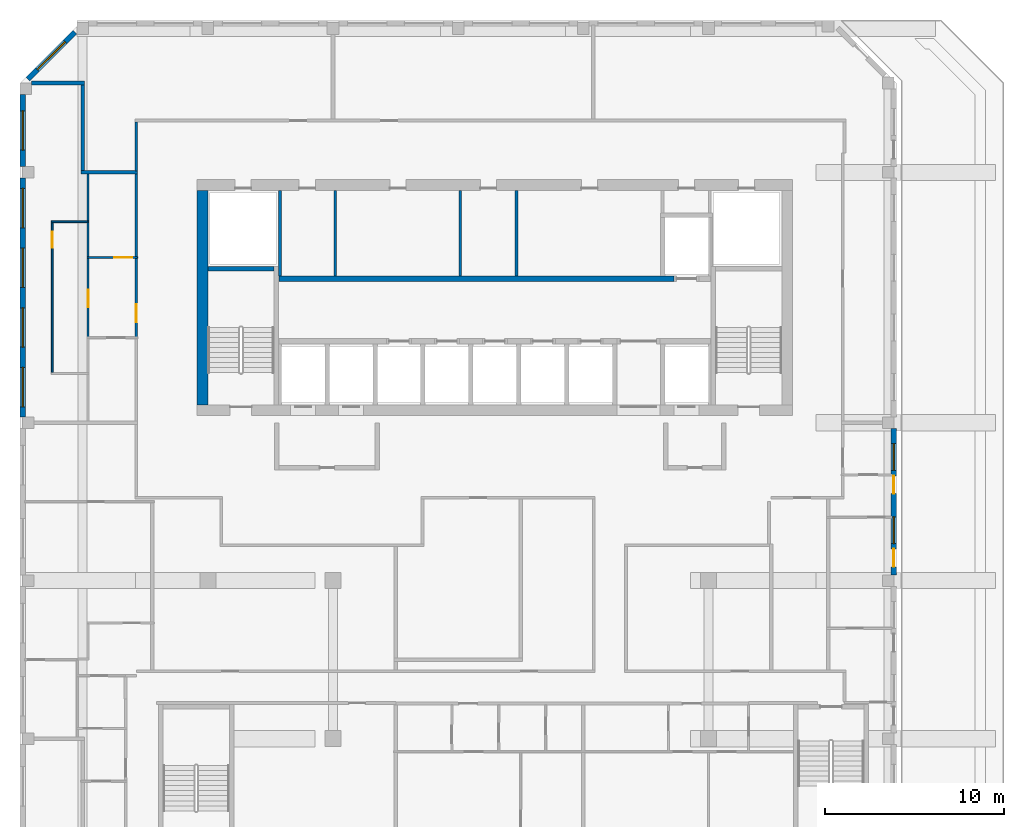
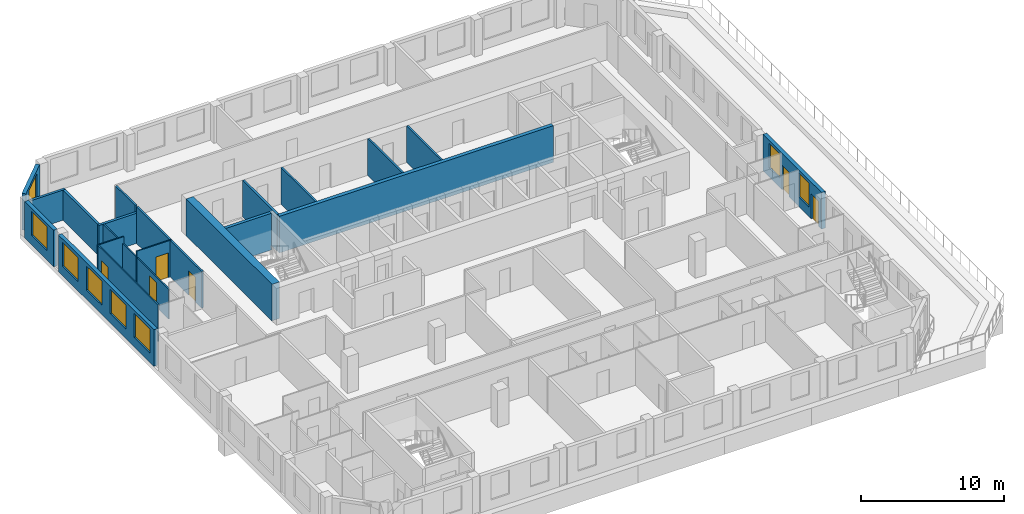
# One storey, part 7 of 13: 23 walls, 8 windows, 6 doors, 14 openings.
"""IFC4 building model written with IfcOpenShell, lengths in metres."""

from ifc_helpers import new_model, si_unit, direction, frame, frame_2d, origin, place, context, subcontext, project, spatial, rectangle, extrude, source, transform, mapped, material, layer, layer_set, type_object, element, fill, save


model = new_model("IFC4")

# Units and contexts
model_context = context("Model", 3, precision=1e-05, world=origin(), true_north=direction((0.0, 1.0)))
body_context = subcontext(model_context, "Body", "Model", "MODEL_VIEW")
ifc_project = project(units=[si_unit("LENGTHUNIT", "METRE"), si_unit("AREAUNIT", "SQUARE_METRE"), si_unit("VOLUMEUNIT", "CUBIC_METRE"), si_unit("PLANEANGLEUNIT", "RADIAN"), si_unit("MASSUNIT", "GRAM", prefix="KILO")], contexts=[model_context])

# Site, building, storey
site_placement = place(None, origin())
site = spatial("IfcSite", under=ifc_project, at=site_placement, CompositionType="ELEMENT")
building_placement = place(site_placement, origin())
building = spatial("IfcBuilding", under=site, at=building_placement, Name="Kilnfold Tower and Market Hall", CompositionType="ELEMENT")
storey_placement = place(building_placement, frame((0.0, 0.0, 267.0)))
storey = spatial("IfcBuildingStorey", under=building, at=storey_placement, Name="L65", CompositionType="ELEMENT", Elevation=267.0)

# Wall
ifc_material_1 = material(Name="Gypsum board on steel studs", Category="steel")
ifc_layer_1 = layer(ifc_material_1, 0.14990234375)
ifc_layer_set_1 = layer_set([ifc_layer_1], Name="Gypsum board on steel studs")
wall_type_1 = type_object("IfcWallType", Name="WALL CORRIDOR 150", PredefinedType="PARTITIONING", material=ifc_layer_set_1)
wall_1_placement = place(storey_placement, frame((-19.0, 22.090087890625, 0.0), z_axis=(0.0, 0.0, 1.0), x_axis=(0.0, 1.0, 0.0)))
element("IfcWall", 1, at=wall_1_placement, inside=storey, type_object=wall_type_1, Name="Partition LY41.22", PredefinedType="PARTITIONING", context=body_context, shape_type="SweptSolid", body=[
    extrude(rectangle(XDim=2.73486328125, YDim=0.14990234375, at=frame_2d((1.367431640625, 0.0))), origin(), (0.0, 0.0, 1.0), 3.1201171875),
])

# Wall, opening, door
wall_2_placement = place(storey_placement, frame((-19.0, 12.800048828125, 0.0), z_axis=(0.0, 0.0, 1.0), x_axis=(0.0, 1.0, 0.0)))
wall_2 = element("IfcWall", 2, at=wall_2_placement, inside=storey, type_object=wall_type_1, Name="Partition LY41.25", PredefinedType="PARTITIONING", context=body_context, shape_type="SweptSolid", body=[
    extrude(rectangle(XDim=4.39990234375, YDim=0.14990234375, at=frame_2d((2.199951171875, 0.0))), origin(), (0.0, 0.0, 1.0), 3.1201171875),
])
opening_1_placement = place(wall_2_placement, frame((0.821044921875, 0.0, 0.0)))
opening_1 = element("IfcOpeningElement", 3, at=opening_1_placement, cuts=wall_2, Name="Opening D1", PredefinedType="OPENING", context=body_context, shape_type="SweptSolid", body=[
    extrude(rectangle(XDim=1.0, YDim=2.10009765625, at=frame_2d((0.5, 1.050048828125))), frame((0.0, 0.0849609375, 0.0), z_axis=(0.0, -1.0, 0.0), x_axis=(1.0, 0.0, 0.0)), (0.0, 0.0, 1.0), 0.169921875),
])
ifc_material_2 = material(Name="Timber veneer door leaf in steel frame", Category="steel")
door_type_1 = type_object("IfcDoorType", Name="DOOR ENTRY 1000 X2100", OperationType="NOTDEFINED", PredefinedType="DOOR", material=ifc_material_2)
door_1_placement = place(opening_1_placement, origin())
door_1 = element("IfcDoor", 4, at=door_1_placement, inside=storey, type_object=door_type_1, Name="Door D1", OperationType="SINGLE_SWING_RIGHT", OverallHeight=2.10009765625, OverallWidth=1.0, PredefinedType="DOOR", context=body_context, shape_type="SweptSolid", body=[
    extrude(rectangle(XDim=1.0, YDim=2.10009765625, at=frame_2d((0.5, 1.050048828125))), frame((0.0, 0.02490234375, 0.0), z_axis=(0.0, -1.0, 0.0), x_axis=(1.0, 0.0, 0.0)), (0.0, 0.0, 1.0), 0.050048828125),
])
fill(opening_1, door_1)

# Wall
wall_3_placement = place(storey_placement, frame((-19.0, 17.280029296875, 0.0), z_axis=(0.0, 0.0, 1.0), x_axis=(0.0, 1.0, 0.0)))
element("IfcWall", 5, at=wall_3_placement, inside=storey, type_object=wall_type_1, Name="Partition LY41.26", PredefinedType="PARTITIONING", context=body_context, shape_type="SweptSolid", body=[
    extrude(rectangle(XDim=4.6298828125, YDim=0.14990234375, at=frame_2d((2.31494140625, 0.0))), origin(), (0.0, 0.0, 1.0), 3.1201171875),
])

# Wall, opening, door
ifc_material_3 = material(Name="Gypsum board on steel studs", Category="steel")
ifc_layer_2 = layer(ifc_material_3, 0.10009765625)
ifc_layer_set_2 = layer_set([ifc_layer_2], Name="Gypsum board on steel studs")
wall_type_2 = type_object("IfcWallType", Name="WALL PARTITION 100", PredefinedType="PARTITIONING", material=ifc_layer_set_2)
wall_4_placement = place(storey_placement, frame((-18.927001953125, 17.239990234375, 0.0), z_axis=(0.0, 0.0, 1.0), x_axis=(-1.0, 0.0, 0.0)))
wall_4 = element("IfcWall", 6, at=wall_4_placement, inside=storey, type_object=wall_type_2, Name="Partition LY41.88", PredefinedType="PARTITIONING", context=body_context, shape_type="SweptSolid", body=[
    extrude(rectangle(XDim=2.822998046875, YDim=0.10009765625, at=frame_2d((1.41162109375, 0.0))), origin(), (0.0, 0.0, 1.0), 3.1201171875),
])
opening_2_placement = place(wall_4_placement, frame((0.302001953125, 0.0, 0.0)))
opening_2 = element("IfcOpeningElement", 7, at=opening_2_placement, cuts=wall_4, Name="Opening D1", PredefinedType="OPENING", context=body_context, shape_type="SweptSolid", body=[
    extrude(rectangle(XDim=1.0, YDim=2.10009765625, at=frame_2d((0.5, 1.050048828125))), frame((0.0, 0.06005859375, 0.0), z_axis=(0.0, -1.0, 0.0), x_axis=(1.0, 0.0, 0.0)), (0.0, 0.0, 1.0), 0.1201171875),
])
door_2_placement = place(opening_2_placement, origin())
door_2 = element("IfcDoor", 8, at=door_2_placement, inside=storey, type_object=door_type_1, Name="Door D1", OperationType="SINGLE_SWING_RIGHT", OverallHeight=2.10009765625, OverallWidth=1.0, PredefinedType="DOOR", context=body_context, shape_type="SweptSolid", body=[
    extrude(rectangle(XDim=1.0, YDim=2.10009765625, at=frame_2d((0.5, 1.050048828125))), frame((0.0, 0.02490234375, 0.0), z_axis=(0.0, -1.0, 0.0), x_axis=(1.0, 0.0, 0.0)), (0.0, 0.0, 1.0), 0.050048828125),
])
fill(opening_2, door_2)

wall_5_placement = place(storey_placement, frame((-21.699951171875, 12.81005859375, 0.0), z_axis=(0.0, 0.0, 1.0), x_axis=(0.0, 1.0, 0.0)))
wall_5 = element("IfcWall", 9, at=wall_5_placement, inside=storey, type_object=wall_type_2, Name="Partition LY41.89", PredefinedType="PARTITIONING", context=body_context, shape_type="SweptSolid", body=[
    extrude(rectangle(XDim=4.3798828125, YDim=0.10009765625, at=frame_2d((2.18994140625, 0.0))), origin(), (0.0, 0.0, 1.0), 2.570068359375),
])
opening_3_placement = place(wall_5_placement, frame((1.638916015625, 0.0, 0.0)))
opening_3 = element("IfcOpeningElement", 10, at=opening_3_placement, cuts=wall_5, Name="Opening D1", PredefinedType="OPENING", context=body_context, shape_type="SweptSolid", body=[
    extrude(rectangle(XDim=1.0, YDim=2.10009765625, at=frame_2d((0.5, 1.050048828125))), frame((0.0, 0.06005859375, 0.0), z_axis=(0.0, -1.0, 0.0), x_axis=(1.0, 0.0, 0.0)), (0.0, 0.0, 1.0), 0.1201171875),
])
door_3_placement = place(opening_3_placement, origin())
door_3 = element("IfcDoor", 11, at=door_3_placement, inside=storey, type_object=door_type_1, Name="Door D1", OperationType="SINGLE_SWING_RIGHT", OverallHeight=2.10009765625, OverallWidth=1.0, PredefinedType="DOOR", context=body_context, shape_type="SweptSolid", body=[
    extrude(rectangle(XDim=1.0, YDim=2.10009765625, at=frame_2d((0.5, 1.050048828125))), frame((0.0, 0.02490234375, 0.0), z_axis=(0.0, -1.0, 0.0), x_axis=(1.0, 0.0, 0.0)), (0.0, 0.0, 1.0), 0.050048828125),
])
fill(opening_3, door_3)

# Walls
wall_6_placement = place(storey_placement, frame((-21.699951171875, 19.281005859375, 0.0), z_axis=(0.0, 0.0, 1.0), x_axis=(0.0, 1.0, 0.0)))
element("IfcWall", 12, at=wall_6_placement, inside=storey, type_object=wall_type_2, Name="Partition LY41.90", PredefinedType="PARTITIONING", context=body_context, shape_type="SweptSolid", body=[
    extrude(rectangle(XDim=2.618896484375, YDim=0.10009765625, at=frame_2d((1.3095703125, 0.0))), origin(), (0.0, 0.0, 1.0), 2.570068359375),
])
wall_7_placement = place(storey_placement, frame((-21.699951171875, 17.2900390625, 0.0), z_axis=(0.0, 0.0, 1.0), x_axis=(0.0, 1.0, 0.0)))
element("IfcWall", 13, at=wall_7_placement, inside=storey, type_object=wall_type_2, Name="Partition LY41.91", PredefinedType="PARTITIONING", context=body_context, shape_type="SweptSolid", body=[
    extrude(rectangle(XDim=1.909912109375, YDim=0.10009765625, at=frame_2d((0.955078125, 0.0))), origin(), (0.0, 0.0, 1.0), 2.570068359375),
])
wall_8_placement = place(storey_placement, frame((-23.7509765625, 19.240966796875, 0.0), z_axis=(0.0, 0.0, 1.0), x_axis=(1.0, 0.0, 0.0)))
element("IfcWall", 14, at=wall_8_placement, inside=storey, type_object=wall_type_2, Name="Partition LY41.92", PredefinedType="PARTITIONING", context=body_context, shape_type="SweptSolid", body=[
    extrude(rectangle(XDim=2.098876953125, YDim=0.10009765625, at=frame_2d((1.04931640625, 0.0))), origin(), (0.0, 0.0, 1.0), 3.1201171875),
])

# Wall, opening, door
wall_9_placement = place(storey_placement, frame((-23.700927734375, 10.80908203125, 0.0), z_axis=(0.0, 0.0, 1.0), x_axis=(0.0, 1.0, 0.0)))
wall_9 = element("IfcWall", 15, at=wall_9_placement, inside=storey, type_object=wall_type_2, Name="Partition LY41.93", PredefinedType="PARTITIONING", context=body_context, shape_type="SweptSolid", body=[
    extrude(rectangle(XDim=8.3818359375, YDim=0.10009765625, at=frame_2d((4.19091796875, 0.0))), origin(), (0.0, 0.0, 1.0), 3.1201171875),
])
opening_4_placement = place(wall_9_placement, frame((6.97802734375, 0.0, 0.0)))
opening_4 = element("IfcOpeningElement", 16, at=opening_4_placement, cuts=wall_9, Name="Opening D2", PredefinedType="OPENING", context=body_context, shape_type="SweptSolid", body=[
    extrude(rectangle(XDim=0.89990234375, YDim=2.10009765625, at=frame_2d((0.449951171875, 1.050048828125))), frame((0.0, 0.06005859375, 0.0), z_axis=(0.0, -1.0, 0.0), x_axis=(1.0, 0.0, 0.0)), (0.0, 0.0, 1.0), 0.1201171875),
])
ifc_material_4 = material(Name="Timber veneer door leaf in steel frame", Category="steel")
door_type_2 = type_object("IfcDoorType", Name="DOOR ROOM 900 X2100", OperationType="NOTDEFINED", PredefinedType="DOOR", material=ifc_material_4)
door_4_placement = place(opening_4_placement, origin())
door_4 = element("IfcDoor", 17, at=door_4_placement, inside=storey, type_object=door_type_2, Name="Door D2", OperationType="SINGLE_SWING_LEFT", OverallHeight=2.10009765625, OverallWidth=0.89990234375, PredefinedType="DOOR", context=body_context, shape_type="SweptSolid", body=[
    extrude(rectangle(XDim=0.89990234375, YDim=2.10009765625, at=frame_2d((0.449951171875, 1.050048828125))), frame((0.0, 0.02490234375, 0.0), z_axis=(0.0, -1.0, 0.0), x_axis=(1.0, 0.0, 0.0)), (0.0, 0.0, 1.0), 0.050048828125),
])
fill(opening_4, door_4)

# Walls
ifc_material_5 = material(Name="Gypsum board on steel studs", Category="steel")
ifc_layer_3 = layer(ifc_material_5, 0.199951171875)
ifc_layer_set_3 = layer_set([ifc_layer_3], Name="Gypsum board on steel studs")
wall_type_3 = type_object("IfcWallType", Name="WALL PARTY 200", PredefinedType="PARTITIONING", material=ifc_layer_set_3)
wall_10_placement = place(storey_placement, frame((-22.0, 22.10009765625, 0.0), z_axis=(0.0, 0.0, 1.0), x_axis=(0.0, 1.0, 0.0)))
element("IfcWall", 18, at=wall_10_placement, inside=storey, type_object=wall_type_3, Name="Partition LY41.82", PredefinedType="PARTITIONING", context=body_context, shape_type="SweptSolid", body=[
    extrude(rectangle(XDim=4.7998046875, YDim=0.199951171875, at=frame_2d((2.39990234375, 0.0))), origin(), (0.0, 0.0, 1.0), 2.570068359375),
])
wall_11_placement = place(storey_placement, frame((-24.85693359375, 27.0, 0.0), z_axis=(0.0, 0.0, 1.0), x_axis=(1.0, 0.0, 0.0)))
element("IfcWall", 19, at=wall_11_placement, inside=storey, type_object=wall_type_3, Name="Partition LY41.83", PredefinedType="PARTITIONING", context=body_context, shape_type="SweptSolid", body=[
    extrude(rectangle(XDim=2.95703125, YDim=0.199951171875, at=frame_2d((1.478515625, 0.0))), origin(), (0.0, 0.0, 1.0), 2.570068359375),
])
wall_12_placement = place(storey_placement, frame((-22.10009765625, 22.0, 0.0), z_axis=(0.0, 0.0, 1.0), x_axis=(1.0, 0.0, 0.0)))
element("IfcWall", 20, at=wall_12_placement, inside=storey, type_object=wall_type_3, Name="Partition LY41.84", PredefinedType="PARTITIONING", context=body_context, shape_type="SweptSolid", body=[
    extrude(rectangle(XDim=3.173095703125, YDim=0.199951171875, at=frame_2d((1.58642578125, 0.0))), origin(), (0.0, 0.0, 1.0), 2.570068359375),
])
ifc_material_6 = material(Name="Concrete C50", Category="concrete")
ifc_layer_4 = layer(ifc_material_6, 0.25)
ifc_layer_set_4 = layer_set([ifc_layer_4], Name="Concrete C50")
wall_type_4 = type_object("IfcWallType", Name="CORE WALL 250 C50", PredefinedType="SHEAR", material=ifc_layer_set_4)
shared_shape_1 = source(origin(), body_context, "Body", "SweptSolid", [
    extrude(rectangle(XDim=3.699951171875, YDim=0.25, at=frame_2d((1.85009765625, 0.0))), origin(), (0.0, 0.0, 1.0), 3.1201171875),
])
wall_13_placement = place(storey_placement, frame((-15.0, 16.625, 0.0), z_axis=(0.0, 0.0, 1.0), x_axis=(1.0, 0.0, 0.0)))
element("IfcWall", 21, at=wall_13_placement, inside=storey, type_object=wall_type_4, Name="Stair enclosure ST1", PredefinedType="SHEAR", context=body_context, shape_type="MappedRepresentation", body=[
    mapped(shared_shape_1, transform((0.0, 0.0, 0.0))),
])
ifc_material_7 = material(Name="Concrete C50", Category="concrete")
ifc_layer_5 = layer(ifc_material_7, 0.300048828125)
ifc_layer_set_5 = layer_set([ifc_layer_5], Name="Concrete C50")
wall_type_5 = type_object("IfcWallType", Name="CORE WALL 300 C50", PredefinedType="SHEAR", material=ifc_layer_set_5)
shared_shape_2 = source(origin(), body_context, "Body", "SweptSolid", [
    extrude(rectangle(XDim=22.080078125, YDim=0.300048828125, at=frame_2d((11.0400390625, 0.0))), origin(), (0.0, 0.0, 1.0), 3.1201171875),
])
wall_14_placement = place(storey_placement, frame((-11.010009765625, 16.050048828125, 0.0), z_axis=(0.0, 0.0, 1.0), x_axis=(1.0, 0.0, 0.0)))
element("IfcWall", 22, at=wall_14_placement, inside=storey, type_object=wall_type_5, Name="Core spine wall", PredefinedType="SHEAR", context=body_context, shape_type="MappedRepresentation", body=[
    mapped(shared_shape_2, transform((0.0, 0.0, 0.0))),
])
ifc_material_8 = material(Name="Concrete C50", Category="concrete")
ifc_layer_6 = layer(ifc_material_8, 0.60009765625)
ifc_layer_set_6 = layer_set([ifc_layer_6], Name="Concrete C50")
wall_type_6 = type_object("IfcWallType", Name="CORE WALL 600 C50", PredefinedType="SHEAR", material=ifc_layer_set_6)
shared_shape_3 = source(origin(), body_context, "Body", "SweptSolid", [
    extrude(rectangle(XDim=12.0, YDim=0.60009765625, at=frame_2d((6.0, 0.0))), origin(), (0.0, 0.0, 1.0), 3.1201171875),
])
wall_15_placement = place(storey_placement, frame((-15.300048828125, 9.0, 0.0), z_axis=(0.0, 0.0, 1.0), x_axis=(0.0, 1.0, 0.0)))
element("IfcWall", 23, at=wall_15_placement, inside=storey, type_object=wall_type_6, Name="Core outer wall west", PredefinedType="SHEAR", context=body_context, shape_type="MappedRepresentation", body=[
    mapped(shared_shape_3, transform((0.0, 0.0, 0.0))),
])

# Wall, opening, window
ifc_material_9 = material(Name="Precast concrete C50/60", Category="concrete")
ifc_layer_7 = layer(ifc_material_9, 0.300048828125)
ifc_layer_set_7 = layer_set([ifc_layer_7], Name="Precast concrete C50/60")
wall_type_7 = type_object("IfcWallType", Name="PRECAST WALL 300", PredefinedType="SOLIDWALL", material=ifc_layer_set_7)
shared_shape_4 = source(origin(), body_context, "Body", "SweptSolid", [
    extrude(rectangle(XDim=3.71240234375, YDim=0.300048828125, at=frame_2d((1.856201171875, 0.0))), origin(), (0.0, 0.0, 1.0), 3.1201171875),
])
wall_16_placement = place(storey_placement, frame((-22.44384765625, 29.843994140625, 0.0), z_axis=(0.0, 0.0, 1.0), x_axis=(-0.707106781187, -0.707106781187, 0.0)))
wall_16 = element("IfcWall", 24, at=wall_16_placement, inside=storey, type_object=wall_type_7, Name="External wall L65 NW", PredefinedType="SOLIDWALL", context=body_context, shape_type="MappedRepresentation", body=[
    mapped(shared_shape_4, transform((0.0, 0.0, 0.0))),
])
opening_5_placement = place(wall_16_placement, frame((0.756103515625, 0.0, 0.800048828125)))
opening_5 = element("IfcOpeningElement", 25, at=opening_5_placement, cuts=wall_16, Name="Opening W3", PredefinedType="OPENING", context=body_context, shape_type="SweptSolid", body=[
    extrude(rectangle(XDim=2.199951171875, YDim=2.050048828125, at=frame_2d((1.10009765625, 1.02490234375))), frame((0.0, 0.16015625, 0.0), z_axis=(0.0, -1.0, 0.0), x_axis=(1.0, 0.0, 0.0)), (0.0, 0.0, 1.0), 0.320068359375),
])
ifc_material_10 = material(Name="Aluminium frame and double glazing", Category="aluminium")
window_type_1 = type_object("IfcWindowType", Name="WINDOW W3 2200X2050", PartitioningType="SINGLE_PANEL", PredefinedType="WINDOW", material=ifc_material_10)
window_1_placement = place(opening_5_placement, origin())
window_1 = element("IfcWindow", 26, at=window_1_placement, inside=storey, type_object=window_type_1, Name="Window W3 L65 NW-1", OverallHeight=2.050048828125, OverallWidth=2.199951171875, PartitioningType="SINGLE_PANEL", PredefinedType="WINDOW", context=body_context, shape_type="SweptSolid", body=[
    extrude(rectangle(XDim=2.199951171875, YDim=2.050048828125, at=frame_2d((1.10009765625, 1.02490234375))), frame((0.0, 0.030029296875, 0.0), z_axis=(0.0, -1.0, 0.0), x_axis=(1.0, 0.0, 0.0)), (0.0, 0.0, 1.0), 0.06005859375),
])
fill(opening_5, window_1)

# Wall, openings, doors, windows
shared_shape_5 = source(origin(), body_context, "Body", "SweptSolid", [
    extrude(rectangle(XDim=8.183349609375, YDim=0.300048828125, at=frame_2d((4.091796875, 0.0))), origin(), (0.0, 0.0, 1.0), 3.1201171875),
])
wall_17_placement = place(storey_placement, frame((23.35009765625, -0.50830078125, 0.0), z_axis=(0.0, 0.0, 1.0), x_axis=(0.0, 1.0, 0.0)))
wall_17 = element("IfcWall", 27, at=wall_17_placement, inside=storey, type_object=wall_type_7, Name="External wall L65 E", PredefinedType="SOLIDWALL", context=body_context, shape_type="MappedRepresentation", body=[
    mapped(shared_shape_5, transform((0.0, 0.0, 0.0))),
])
opening_6_placement = place(wall_17_placement, frame((1.75, 0.0, 0.800048828125)))
opening_6 = element("IfcOpeningElement", 28, at=opening_6_placement, cuts=wall_17, Name="Opening W5", PredefinedType="OPENING", context=body_context, shape_type="SweptSolid", body=[
    extrude(rectangle(XDim=1.5, YDim=2.050048828125, at=frame_2d((0.75, 1.02490234375))), frame((0.0, 0.16015625, 0.0), z_axis=(0.0, -1.0, 0.0), x_axis=(1.0, 0.0, 0.0)), (0.0, 0.0, 1.0), 0.320068359375),
])
opening_7_placement = place(wall_17_placement, frame((0.449951171875, 0.0, 0.0)))
opening_7 = element("IfcOpeningElement", 29, at=opening_7_placement, cuts=wall_17, Name="Opening BD1", PredefinedType="OPENING", context=body_context, shape_type="SweptSolid", body=[
    extrude(rectangle(XDim=1.0, YDim=2.10009765625, at=frame_2d((0.5, 1.050048828125))), frame((0.0, 0.16015625, 0.0), z_axis=(0.0, -1.0, 0.0), x_axis=(1.0, 0.0, 0.0)), (0.0, 0.0, 1.0), 0.320068359375),
])
opening_8_placement = place(wall_17_placement, frame((5.841552734375, 0.0, 0.800048828125)))
opening_8 = element("IfcOpeningElement", 30, at=opening_8_placement, cuts=wall_17, Name="Opening W5", PredefinedType="OPENING", context=body_context, shape_type="SweptSolid", body=[
    extrude(rectangle(XDim=1.5, YDim=2.050048828125, at=frame_2d((0.75, 1.02490234375))), frame((0.0, 0.16015625, 0.0), z_axis=(0.0, -1.0, 0.0), x_axis=(1.0, 0.0, 0.0)), (0.0, 0.0, 1.0), 0.320068359375),
])
opening_9_placement = place(wall_17_placement, frame((4.54150390625, 0.0, 0.0)))
opening_9 = element("IfcOpeningElement", 31, at=opening_9_placement, cuts=wall_17, Name="Opening BD1", PredefinedType="OPENING", context=body_context, shape_type="SweptSolid", body=[
    extrude(rectangle(XDim=1.0, YDim=2.10009765625, at=frame_2d((0.5, 1.050048828125))), frame((0.0, 0.16015625, 0.0), z_axis=(0.0, -1.0, 0.0), x_axis=(1.0, 0.0, 0.0)), (0.0, 0.0, 1.0), 0.320068359375),
])
ifc_material_11 = material(Name="Aluminium frame and double glazing", Category="aluminium")
door_type_3 = type_object("IfcDoorType", Name="BALCONY DOOR 1000X2100", OperationType="NOTDEFINED", PredefinedType="DOOR", material=ifc_material_11)
door_5_placement = place(opening_7_placement, origin())
door_5 = element("IfcDoor", 32, at=door_5_placement, inside=storey, type_object=door_type_3, Name="Balcony door BD1 L65 E-1", OperationType="SINGLE_SWING_LEFT", OverallHeight=2.10009765625, OverallWidth=1.0, PredefinedType="DOOR", context=body_context, shape_type="SweptSolid", body=[
    extrude(rectangle(XDim=1.0, YDim=2.10009765625, at=frame_2d((0.5, 1.050048828125))), frame((0.0, 0.02490234375, 0.0), z_axis=(0.0, -1.0, 0.0), x_axis=(1.0, 0.0, 0.0)), (0.0, 0.0, 1.0), 0.050048828125),
])
fill(opening_7, door_5)
door_6_placement = place(opening_9_placement, origin())
door_6 = element("IfcDoor", 33, at=door_6_placement, inside=storey, type_object=door_type_3, Name="Balcony door BD1 L65 E-2", OperationType="SINGLE_SWING_RIGHT", OverallHeight=2.10009765625, OverallWidth=1.0, PredefinedType="DOOR", context=body_context, shape_type="SweptSolid", body=[
    extrude(rectangle(XDim=1.0, YDim=2.10009765625, at=frame_2d((0.5, 1.050048828125))), frame((0.0, 0.02490234375, 0.0), z_axis=(0.0, -1.0, 0.0), x_axis=(1.0, 0.0, 0.0)), (0.0, 0.0, 1.0), 0.050048828125),
])
fill(opening_9, door_6)
ifc_material_12 = material(Name="Aluminium frame and double glazing", Category="aluminium")
window_type_2 = type_object("IfcWindowType", Name="WINDOW W5 1500X2050", PartitioningType="SINGLE_PANEL", PredefinedType="WINDOW", material=ifc_material_12)
window_2_placement = place(opening_6_placement, origin())
window_2 = element("IfcWindow", 34, at=window_2_placement, inside=storey, type_object=window_type_2, Name="Window W5 L65 E-1", OverallHeight=2.050048828125, OverallWidth=1.5, PartitioningType="SINGLE_PANEL", PredefinedType="WINDOW", context=body_context, shape_type="SweptSolid", body=[
    extrude(rectangle(XDim=1.5, YDim=2.050048828125, at=frame_2d((0.75, 1.02490234375))), frame((0.0, 0.030029296875, 0.0), z_axis=(0.0, -1.0, 0.0), x_axis=(1.0, 0.0, 0.0)), (0.0, 0.0, 1.0), 0.06005859375),
])
fill(opening_6, window_2)
window_3_placement = place(opening_8_placement, origin())
window_3 = element("IfcWindow", 35, at=window_3_placement, inside=storey, type_object=window_type_2, Name="Window W5 L65 E-2", OverallHeight=2.050048828125, OverallWidth=1.5, PartitioningType="SINGLE_PANEL", PredefinedType="WINDOW", context=body_context, shape_type="SweptSolid", body=[
    extrude(rectangle(XDim=1.5, YDim=2.050048828125, at=frame_2d((0.75, 1.02490234375))), frame((0.0, 0.030029296875, 0.0), z_axis=(0.0, -1.0, 0.0), x_axis=(1.0, 0.0, 0.0)), (0.0, 0.0, 1.0), 0.06005859375),
])
fill(opening_8, window_3)

# Wall, openings, windows
shared_shape_6 = source(origin(), body_context, "Body", "SweptSolid", [
    extrude(rectangle(XDim=13.35009765625, YDim=0.300048828125, at=frame_2d((6.675048828125, 0.0))), origin(), (0.0, 0.0, 1.0), 3.1201171875),
])
wall_18_placement = place(storey_placement, frame((-25.35009765625, 21.675048828125, 0.0), z_axis=(0.0, 0.0, 1.0), x_axis=(0.0, -1.0, 0.0)))
wall_18 = element("IfcWall", 36, at=wall_18_placement, inside=storey, type_object=wall_type_7, Name="External wall L65 W", PredefinedType="SOLIDWALL", context=body_context, shape_type="MappedRepresentation", body=[
    mapped(shared_shape_6, transform((0.0, 0.0, 0.0))),
])
opening_10_placement = place(wall_18_placement, frame((0.56884765625, 0.0, 0.800048828125)))
opening_10 = element("IfcOpeningElement", 37, at=opening_10_placement, cuts=wall_18, Name="Opening W3", PredefinedType="OPENING", context=body_context, shape_type="SweptSolid", body=[
    extrude(rectangle(XDim=2.199951171875, YDim=2.050048828125, at=frame_2d((1.10009765625, 1.02490234375))), frame((0.0, 0.16015625, 0.0), z_axis=(0.0, -1.0, 0.0), x_axis=(1.0, 0.0, 0.0)), (0.0, 0.0, 1.0), 0.320068359375),
])
opening_11_placement = place(wall_18_placement, frame((3.90625, 0.0, 0.800048828125)))
opening_11 = element("IfcOpeningElement", 38, at=opening_11_placement, cuts=wall_18, Name="Opening W3", PredefinedType="OPENING", context=body_context, shape_type="SweptSolid", body=[
    extrude(rectangle(XDim=2.199951171875, YDim=2.050048828125, at=frame_2d((1.10009765625, 1.02490234375))), frame((0.0, 0.16015625, 0.0), z_axis=(0.0, -1.0, 0.0), x_axis=(1.0, 0.0, 0.0)), (0.0, 0.0, 1.0), 0.320068359375),
])
opening_12_placement = place(wall_18_placement, frame((7.243896484375, 0.0, 0.800048828125)))
opening_12 = element("IfcOpeningElement", 39, at=opening_12_placement, cuts=wall_18, Name="Opening W3", PredefinedType="OPENING", context=body_context, shape_type="SweptSolid", body=[
    extrude(rectangle(XDim=2.199951171875, YDim=2.050048828125, at=frame_2d((1.10009765625, 1.02490234375))), frame((0.0, 0.16015625, 0.0), z_axis=(0.0, -1.0, 0.0), x_axis=(1.0, 0.0, 0.0)), (0.0, 0.0, 1.0), 0.320068359375),
])
opening_13_placement = place(wall_18_placement, frame((10.581298828125, 0.0, 0.800048828125)))
opening_13 = element("IfcOpeningElement", 40, at=opening_13_placement, cuts=wall_18, Name="Opening W3", PredefinedType="OPENING", context=body_context, shape_type="SweptSolid", body=[
    extrude(rectangle(XDim=2.199951171875, YDim=2.050048828125, at=frame_2d((1.10009765625, 1.02490234375))), frame((0.0, 0.16015625, 0.0), z_axis=(0.0, -1.0, 0.0), x_axis=(1.0, 0.0, 0.0)), (0.0, 0.0, 1.0), 0.320068359375),
])
window_4_placement = place(opening_10_placement, origin())
window_4 = element("IfcWindow", 41, at=window_4_placement, inside=storey, type_object=window_type_1, Name="Window W3 L65 W-1", OverallHeight=2.050048828125, OverallWidth=2.199951171875, PartitioningType="SINGLE_PANEL", PredefinedType="WINDOW", context=body_context, shape_type="SweptSolid", body=[
    extrude(rectangle(XDim=2.199951171875, YDim=2.050048828125, at=frame_2d((1.10009765625, 1.02490234375))), frame((0.0, 0.030029296875, 0.0), z_axis=(0.0, -1.0, 0.0), x_axis=(1.0, 0.0, 0.0)), (0.0, 0.0, 1.0), 0.06005859375),
])
fill(opening_10, window_4)
window_5_placement = place(opening_11_placement, origin())
window_5 = element("IfcWindow", 42, at=window_5_placement, inside=storey, type_object=window_type_1, Name="Window W3 L65 W-2", OverallHeight=2.050048828125, OverallWidth=2.199951171875, PartitioningType="SINGLE_PANEL", PredefinedType="WINDOW", context=body_context, shape_type="SweptSolid", body=[
    extrude(rectangle(XDim=2.199951171875, YDim=2.050048828125, at=frame_2d((1.10009765625, 1.02490234375))), frame((0.0, 0.030029296875, 0.0), z_axis=(0.0, -1.0, 0.0), x_axis=(1.0, 0.0, 0.0)), (0.0, 0.0, 1.0), 0.06005859375),
])
fill(opening_11, window_5)
window_6_placement = place(opening_12_placement, origin())
window_6 = element("IfcWindow", 43, at=window_6_placement, inside=storey, type_object=window_type_1, Name="Window W3 L65 W-3", OverallHeight=2.050048828125, OverallWidth=2.199951171875, PartitioningType="SINGLE_PANEL", PredefinedType="WINDOW", context=body_context, shape_type="SweptSolid", body=[
    extrude(rectangle(XDim=2.199951171875, YDim=2.050048828125, at=frame_2d((1.10009765625, 1.02490234375))), frame((0.0, 0.030029296875, 0.0), z_axis=(0.0, -1.0, 0.0), x_axis=(1.0, 0.0, 0.0)), (0.0, 0.0, 1.0), 0.06005859375),
])
fill(opening_12, window_6)
window_7_placement = place(opening_13_placement, origin())
window_7 = element("IfcWindow", 44, at=window_7_placement, inside=storey, type_object=window_type_1, Name="Window W3 L65 W-4", OverallHeight=2.050048828125, OverallWidth=2.199951171875, PartitioningType="SINGLE_PANEL", PredefinedType="WINDOW", context=body_context, shape_type="SweptSolid", body=[
    extrude(rectangle(XDim=2.199951171875, YDim=2.050048828125, at=frame_2d((1.10009765625, 1.02490234375))), frame((0.0, 0.030029296875, 0.0), z_axis=(0.0, -1.0, 0.0), x_axis=(1.0, 0.0, 0.0)), (0.0, 0.0, 1.0), 0.06005859375),
])
fill(opening_13, window_7)

# Wall, opening, window
shared_shape_7 = source(origin(), body_context, "Body", "SweptSolid", [
    extrude(rectangle(XDim=4.03173828125, YDim=0.300048828125, at=frame_2d((2.015869140625, 0.0))), origin(), (0.0, 0.0, 1.0), 3.1201171875),
])
wall_19_placement = place(storey_placement, frame((-25.35009765625, 26.356689453125, 0.0), z_axis=(0.0, 0.0, 1.0), x_axis=(0.0, -1.0, 0.0)))
wall_19 = element("IfcWall", 45, at=wall_19_placement, inside=storey, type_object=wall_type_7, Name="External wall L65 W", PredefinedType="SOLIDWALL", context=body_context, shape_type="MappedRepresentation", body=[
    mapped(shared_shape_7, transform((0.0, 0.0, 0.0))),
])
opening_14_placement = place(wall_19_placement, frame((0.916015625, 0.0, 0.800048828125)))
opening_14 = element("IfcOpeningElement", 46, at=opening_14_placement, cuts=wall_19, Name="Opening W3", PredefinedType="OPENING", context=body_context, shape_type="SweptSolid", body=[
    extrude(rectangle(XDim=2.199951171875, YDim=2.050048828125, at=frame_2d((1.10009765625, 1.02490234375))), frame((0.0, 0.16015625, 0.0), z_axis=(0.0, -1.0, 0.0), x_axis=(1.0, 0.0, 0.0)), (0.0, 0.0, 1.0), 0.320068359375),
])
window_8_placement = place(opening_14_placement, origin())
window_8 = element("IfcWindow", 47, at=window_8_placement, inside=storey, type_object=window_type_1, Name="Window W3 L65 W-1", OverallHeight=2.050048828125, OverallWidth=2.199951171875, PartitioningType="SINGLE_PANEL", PredefinedType="WINDOW", context=body_context, shape_type="SweptSolid", body=[
    extrude(rectangle(XDim=2.199951171875, YDim=2.050048828125, at=frame_2d((1.10009765625, 1.02490234375))), frame((0.0, 0.030029296875, 0.0), z_axis=(0.0, -1.0, 0.0), x_axis=(1.0, 0.0, 0.0)), (0.0, 0.0, 1.0), 0.06005859375),
])
fill(opening_14, window_8)

# Walls
ifc_material_13 = material(Name="Gypsum shaft wall system")
ifc_layer_8 = layer(ifc_material_13, 0.1650390625)
ifc_layer_set_8 = layer_set([ifc_layer_8], Name="Gypsum shaft wall system")
wall_type_8 = type_object("IfcWallType", Name="SHAFT WALL 165", PredefinedType="PARTITIONING", material=ifc_layer_set_8)
shared_shape_8 = source(origin(), body_context, "Body", "SweptSolid", [
    extrude(rectangle(XDim=4.800048828125, YDim=0.1650390625, at=frame_2d((2.39990234375, 0.0))), origin(), (0.0, 0.0, 1.0), 3.1201171875),
])
wall_20_placement = place(storey_placement, frame((-10.967529296875, 16.199951171875, 0.0), z_axis=(0.0, 0.0, 1.0), x_axis=(0.0, 1.0, 0.0)))
element("IfcWall", 48, at=wall_20_placement, inside=storey, type_object=wall_type_8, Name="Lift shaft wall", PredefinedType="PARTITIONING", context=body_context, shape_type="MappedRepresentation", body=[
    mapped(shared_shape_8, transform((0.0, 0.0, 0.0))),
])
ifc_material_14 = material(Name="Gypsum shaft wall system")
ifc_layer_9 = layer(ifc_material_14, 0.14990234375)
ifc_layer_set_9 = layer_set([ifc_layer_9], Name="Gypsum shaft wall system")
wall_type_9 = type_object("IfcWallType", Name="ROOM WALL 150", PredefinedType="PARTITIONING", material=ifc_layer_set_9)
shared_shape_9 = source(origin(), body_context, "Body", "SweptSolid", [
    extrude(rectangle(XDim=4.800048828125, YDim=0.14990234375, at=frame_2d((2.39990234375, 0.0))), origin(), (0.0, 0.0, 1.0), 3.1201171875),
])
for number, where, z_axis, x_axis, name in (
    (49, (-7.87451171875, 16.199951171875, 0.0), (0.0, 0.0, 1.0), (0.0, 1.0, 0.0), "Core room wall"),
    (50, (-0.879638671875, 16.199951171875, 0.0), (0.0, 0.0, 1.0), (0.0, 1.0, 0.0), "Core room wall"),
    (51, (2.256103515625, 16.199951171875, 0.0), (0.0, 0.0, 1.0), (0.0, 1.0, 0.0), "Core room wall"),
):
    element("IfcWall", number, at=place(storey_placement, frame(where, z_axis=z_axis, x_axis=x_axis)), inside=storey, type_object=wall_type_9, Name=name, PredefinedType="PARTITIONING", context=body_context, shape_type="MappedRepresentation", body=[
        mapped(shared_shape_9, transform((0.0, 0.0, 0.0))),
    ])

save(model, "model.ifc")
